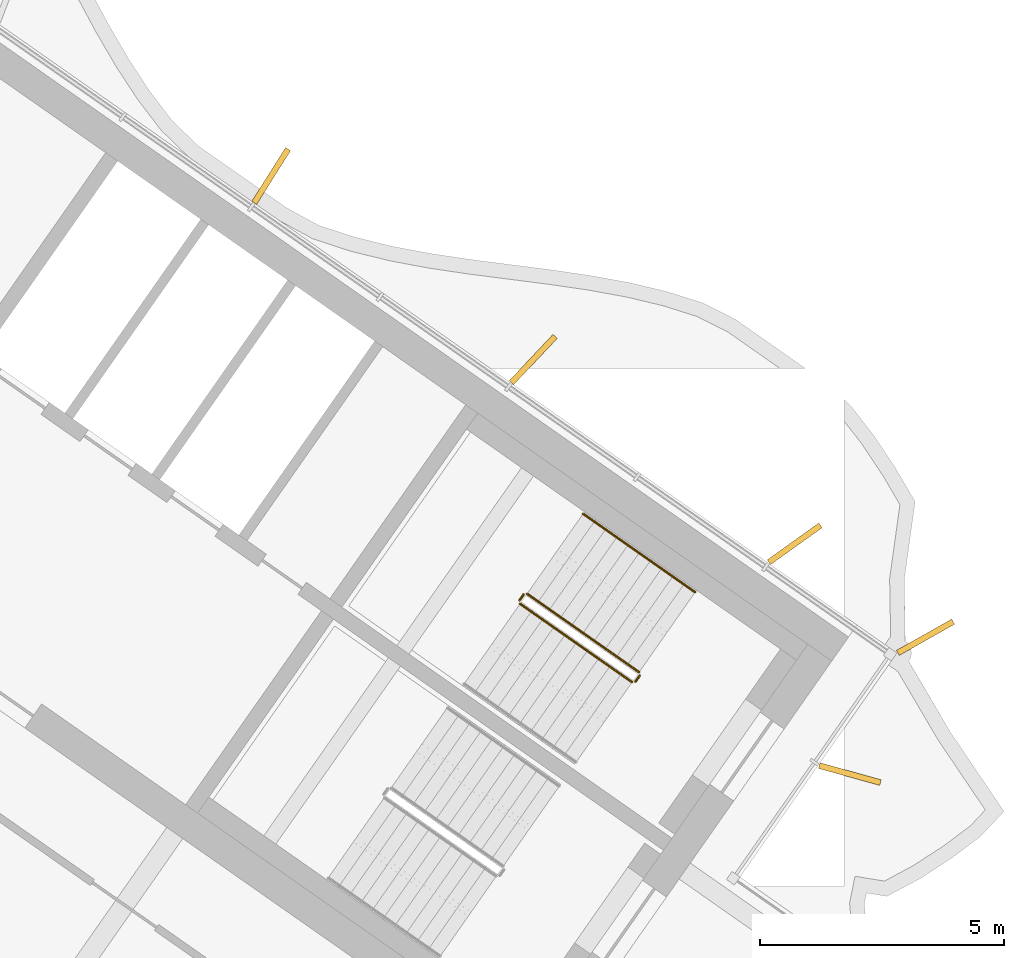
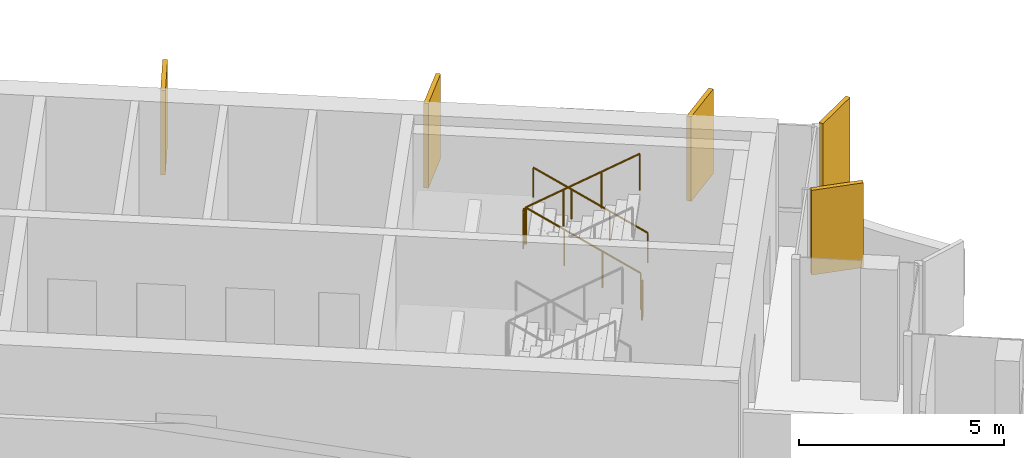
# One storey, part 16 of 17: 5 railings, 5 shading devices.
"""IFC4 building model written with IfcOpenShell, lengths in metres."""

from ifc_helpers import new_model, si_unit, direction, frame, origin, origin_2d, place, context, subcontext, project, spatial, rectangle, circle, extrude, material, layer, layer_set, type_object, element, save


model = new_model("IFC4")

# Units and contexts
model_context = context("Model", 3, precision=1e-05, world=origin(), true_north=direction((0.0, 1.0)))
body_context = subcontext(model_context, "Body", "Model", "MODEL_VIEW")
ifc_project = project(units=[si_unit("LENGTHUNIT", "METRE"), si_unit("AREAUNIT", "SQUARE_METRE"), si_unit("VOLUMEUNIT", "CUBIC_METRE"), si_unit("PLANEANGLEUNIT", "RADIAN"), si_unit("MASSUNIT", "GRAM", prefix="KILO")], contexts=[model_context])

# Site, building, storey
site_placement = place(None, origin())
site = spatial("IfcSite", under=ifc_project, at=site_placement, CompositionType="ELEMENT")
building_placement = place(site_placement, origin())
building = spatial("IfcBuilding", under=site, at=building_placement, Name="Tel Ilan Convention Tower", CompositionType="ELEMENT")
storey_placement = place(building_placement, frame((0.0, 0.0, 287.800048828125)))
storey = spatial("IfcBuildingStorey", under=building, at=storey_placement, Name="L68", CompositionType="ELEMENT", Elevation=287.800048828125)

# Shading devices
ifc_material_1 = material(Name="Aluminium, bronze anodised", Category="aluminium")
ifc_layer = layer(ifc_material_1, 0.1201171875)
ifc_layer_set = layer_set([ifc_layer], Name="FIN BRONZE 1300x120")
shading_device_type = type_object("IfcShadingDeviceType", Name="FIN BRONZE 1300x120", PredefinedType="USERDEFINED", material=ifc_layer_set)
for number, where, z_axis, x_axis, name in (
    (1, (27.994873046875, -9.938232421875, 1.099853515625), (0.0, 0.0, 1.0), (0.963370878614, -0.268172612768, 0.0), "FIN"),
    (2, (29.5439453125, -7.13623046875, 1.099853515625), (0.0, 0.0, 1.0), (0.870832754082, 0.491579408049, 0.0), "FIN"),
    (3, (26.8662109375, -5.2216796875, 1.099853515625), (0.0, 0.0, 1.0), (0.813552070258, 0.581492071294, 0.0), "FIN"),
    (4, (21.51171875, -1.449462890625, 1.099853515625), (0.0, 0.0, 1.0), (0.686241637865, 0.727373641577, 0.0), "FIN"),
    (5, (16.143798828125, 2.309814453125, 1.099853515625), (0.0, 0.0, 1.0), (0.533204432798, 0.845986425922, 0.0), "FIN"),
):
    element("IfcShadingDevice", number, at=place(storey_placement, frame(where, z_axis=z_axis, x_axis=x_axis)), inside=storey, type_object=shading_device_type, Name=name, ObjectType="FIN", PredefinedType="USERDEFINED", context=body_context, shape_type="SweptSolid", body=[
        extrude(rectangle(XDim=1.300048828125, YDim=0.1201171875, at=origin_2d()), origin(), (0.0, 0.0, 1.0), 2.52001953125),
    ])

# Railings
ifc_material_2 = material(Name="Stainless Steel Grade 316", Category="steel")
railing_type_1 = type_object("IfcRailingType", Name="Stainless Steel Stair Guard 1100 mm", PredefinedType="GUARDRAIL", material=ifc_material_2)
railing_1_placement = place(storey_placement, frame((23.6787109375, -7.8515625, 0.17724609375)))
element("IfcRailing", 6, at=railing_1_placement, inside=storey, type_object=railing_type_1, Name="L68 S3 stair guard 1", PredefinedType="GUARDRAIL", context=body_context, shape_type="SweptSolid", body=[
    extrude(circle(Radius=0.02392578125, at=origin_2d()), frame((0.0, 0.0, 1.076171875), z_axis=(-0.692084706163, 0.484621375041, 0.534940073605), x_axis=(-0.573591086599, -0.819141785879, 0.0)), (0.0, 0.0, 1.0), 3.313720703125),
    extrude(circle(Radius=0.02099609375, at=origin_2d()), origin(), (0.0, 0.0, 1.0), 1.052001953125),
    extrude(circle(Radius=0.02099609375, at=origin_2d()), frame((-0.764404296875, 0.535400390625, 0.5908203125)), (0.0, 0.0, 1.0), 1.052001953125),
    extrude(circle(Radius=0.02099609375, at=origin_2d()), frame((-1.529052734375, 1.070556640625, 1.181884765625)), (0.0, 0.0, 1.0), 1.052001953125),
    extrude(circle(Radius=0.02099609375, at=origin_2d()), frame((-2.29345703125, 1.60595703125, 1.772705078125)), (0.0, 0.0, 1.0), 1.052001953125),
])
railing_2_placement = place(storey_placement, frame((21.3154296875, -6.2578125, 1.949951171875)))
element("IfcRailing", 7, at=railing_2_placement, inside=storey, type_object=railing_type_1, Name="L68 S3 stair guard 2", PredefinedType="GUARDRAIL", context=body_context, shape_type="SweptSolid", body=[
    extrude(circle(Radius=0.02392578125, at=origin_2d()), frame((0.0, 0.0, 1.076171875), z_axis=(-0.573353020881, -0.819308436089, 0.0), x_axis=(0.819308436089, -0.573353020881, 0.0)), (0.0, 0.0, 1.0), 0.14990234375),
    extrude(circle(Radius=0.02099609375, at=origin_2d()), origin(), (0.0, 0.0, 1.0), 1.052001953125),
    extrude(circle(Radius=0.02099609375, at=origin_2d()), frame((-0.0859375, -0.122802734375, 0.0)), (0.0, 0.0, 1.0), 1.052001953125),
])
railing_3_placement = place(storey_placement, frame((21.24169921875, -6.4501953125, 2.127197265625)))
element("IfcRailing", 8, at=railing_3_placement, inside=storey, type_object=railing_type_1, Name="L68 S3 stair guard 3", PredefinedType="GUARDRAIL", context=body_context, shape_type="SweptSolid", body=[
    extrude(circle(Radius=0.02392578125, at=origin_2d()), frame((0.0, 0.0, 1.076171875), z_axis=(0.692098378994, -0.484653031975, 0.534893701956), x_axis=(0.573608623498, 0.819129505664, 0.0)), (0.0, 0.0, 1.0), 3.314208984375),
    extrude(circle(Radius=0.02099609375, at=origin_2d()), origin(), (0.0, 0.0, 1.0), 1.052001953125),
    extrude(circle(Radius=0.02099609375, at=origin_2d()), frame((0.7646484375, -0.535400390625, 0.5908203125)), (0.0, 0.0, 1.0), 1.052001953125),
    extrude(circle(Radius=0.02099609375, at=origin_2d()), frame((1.529052734375, -1.07080078125, 1.181884765625)), (0.0, 0.0, 1.0), 1.052001953125),
    extrude(circle(Radius=0.02099609375, at=origin_2d()), frame((2.293701171875, -1.606201171875, 1.772705078125)), (0.0, 0.0, 1.0), 1.052001953125),
])
railing_4_placement = place(storey_placement, frame((23.691162109375, -7.921142578125, 0.0)))
element("IfcRailing", 9, at=railing_4_placement, inside=storey, type_object=railing_type_1, Name="L68 S3 stair guard 4", PredefinedType="GUARDRAIL", context=body_context, shape_type="SweptSolid", body=[
    extrude(circle(Radius=0.02392578125, at=origin_2d()), frame((0.0, 0.0, 1.076171875), z_axis=(-0.574444878118, -0.818543268254, 0.0), x_axis=(0.818543268254, -0.574444878118, 0.0)), (0.0, 0.0, 1.0), 0.150146484375),
    extrude(circle(Radius=0.02099609375, at=origin_2d()), origin(), (0.0, 0.0, 1.0), 1.052001953125),
    extrude(circle(Radius=0.02099609375, at=origin_2d()), frame((-0.086181640625, -0.122802734375, 0.0)), (0.0, 0.0, 1.0), 1.052001953125),
])
ifc_material_3 = material(Name="Stainless Steel Grade 316", Category="steel")
railing_type_2 = type_object("IfcRailingType", Name="Stainless Steel Stair Handrail 900 mm", PredefinedType="HANDRAIL", material=ifc_material_3)
railing_5_placement = place(storey_placement, frame((24.825927734375, -6.213134765625, 0.17724609375)))
element("IfcRailing", 10, at=railing_5_placement, inside=storey, type_object=railing_type_2, Name="L68 S3 stair handrail 1", PredefinedType="HANDRAIL", context=body_context, shape_type="SweptSolid", body=[
    extrude(circle(Radius=0.02392578125, at=origin_2d()), frame((0.0, 0.0, 0.8759765625), z_axis=(-0.692123088272, 0.484596665743, 0.534912798717), x_axis=(-0.573550118428, -0.819170471667, 0.0)), (0.0, 0.0, 1.0), 3.31396484375),
    extrude(circle(Radius=0.02099609375, at=origin_2d()), origin(), (0.0, 0.0, 1.0), 0.851806640625),
    extrude(circle(Radius=0.02099609375, at=origin_2d()), frame((-0.7646484375, 0.535400390625, 0.5908203125)), (0.0, 0.0, 1.0), 0.851806640625),
    extrude(circle(Radius=0.02099609375, at=origin_2d()), frame((-1.529052734375, 1.070556640625, 1.181884765625)), (0.0, 0.0, 1.0), 0.851806640625),
    extrude(circle(Radius=0.02099609375, at=origin_2d()), frame((-2.293701171875, 1.60595703125, 1.772705078125)), (0.0, 0.0, 1.0), 0.851806640625),
])

save(model, "model.ifc")
